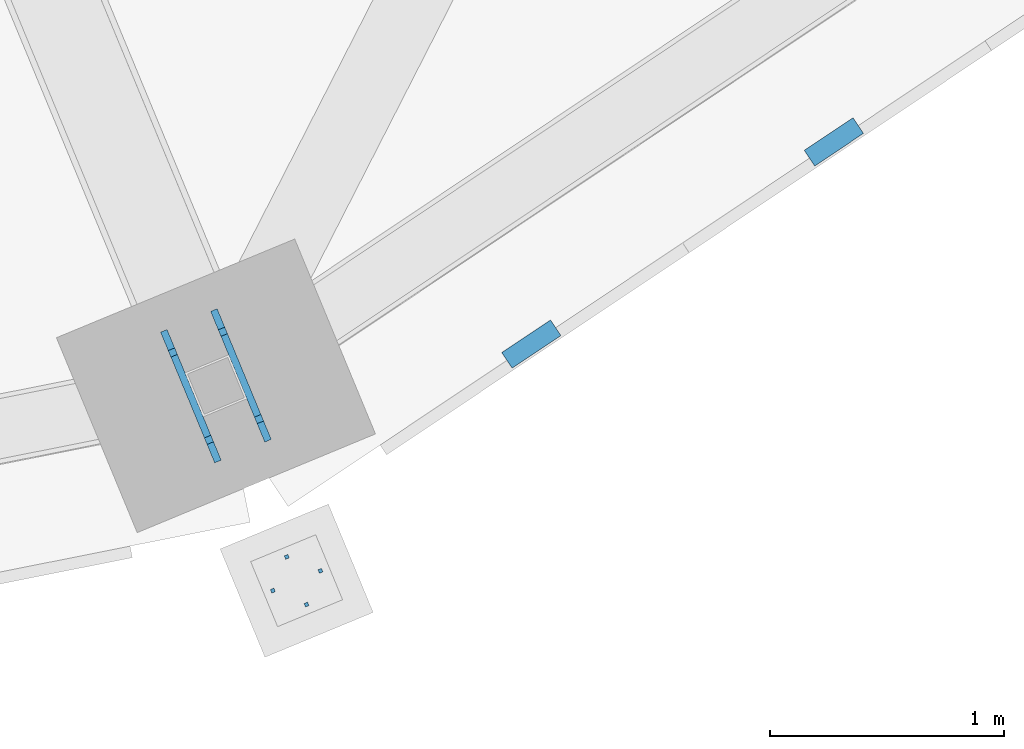
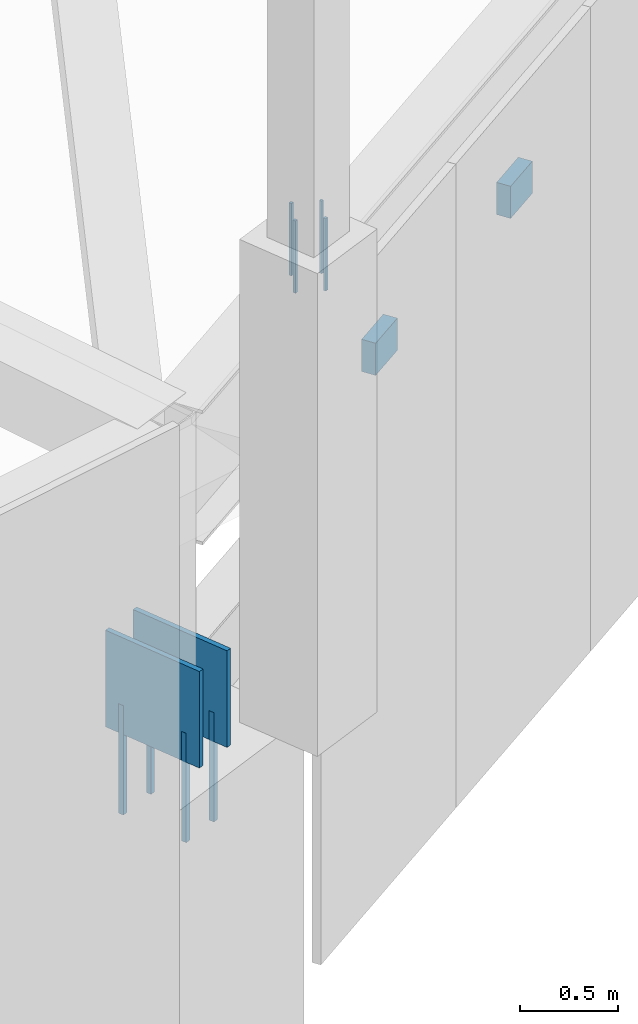
# One storey, part 171 of 278: 8 mechanical fasteners, 4 discrete accessories.
"""IFC4 building model written with IfcOpenShell, lengths in metres."""

from ifc_helpers import new_model, si_unit, direction, frame, origin, origin_2d, place, context, subcontext, project, spatial, rectangle, extrude, material, layer, layer_set, type_object, element, save


model = new_model("IFC4")

# Units and contexts
model_context = context("Model", 3, precision=1e-05, world=origin(), true_north=direction((0.0, 1.0)))
body_context = subcontext(model_context, "Body", "Model", "MODEL_VIEW")
ifc_project = project(units=[si_unit("LENGTHUNIT", "METRE"), si_unit("AREAUNIT", "SQUARE_METRE"), si_unit("VOLUMEUNIT", "CUBIC_METRE"), si_unit("PLANEANGLEUNIT", "RADIAN"), si_unit("MASSUNIT", "GRAM", prefix="KILO")], contexts=[model_context])

# Site, building, storey
site_placement = place(None, origin())
site = spatial("IfcSite", under=ifc_project, at=site_placement, CompositionType="ELEMENT")
building_placement = place(site_placement, origin())
building = spatial("IfcBuilding", under=site, at=building_placement, Name="Ogive Plaza Stadium", CompositionType="ELEMENT")
storey_placement = place(building_placement, frame((0.0, 0.0, 29.0)))
storey = spatial("IfcBuildingStorey", under=building, at=storey_placement, Name="Roof", CompositionType="ELEMENT", Elevation=29.0)

# Mechanical fasteners
ifc_material_1 = material(Name="Steel ASTM A992 Grade 50", Category="steel")
mechanical_fastener_type_1 = type_object("IfcMechanicalFastenerType", Name="Anchor bolt M30 x 600", PredefinedType="ANCHORBOLT", material=ifc_material_1)
for number, where, z_axis, x_axis, name in (
    (1, (53.318115234375, -98.8359375, 3.0), (0.0, 0.0, 1.0), (0.382683432365, -0.923879532511, 0.0), "ANCHOR BOLT 11 BF 1.1"),
    (2, (53.163818359375, -98.46337890625, 3.0), (0.0, 0.0, 1.0), (0.382683432365, -0.923879532511, 0.0), "ANCHOR BOLT 11 BF 1.2"),
    (3, (53.1044921875, -98.924560546875, 3.0), (0.0, 0.0, 1.0), (0.382683432365, -0.923879532511, 0.0), "ANCHOR BOLT 11 BF 2.1"),
    (4, (52.9501953125, -98.552001953125, 3.0), (0.0, 0.0, 1.0), (0.382683432365, -0.923879532511, 0.0), "ANCHOR BOLT 11 BF 2.2"),
):
    element("IfcMechanicalFastener", number, at=place(storey_placement, frame(where, z_axis=z_axis, x_axis=x_axis)), inside=storey, type_object=mechanical_fastener_type_1, Name=name, PredefinedType="ANCHORBOLT", context=body_context, shape_type="SweptSolid", body=[
        extrude(rectangle(XDim=0.030029296875, YDim=0.030029296875, at=origin_2d()), origin(), (0.0, 0.0, 1.0), 0.679931640625),
    ])
ifc_material_2 = material(Name="Steel ASTM A992 Grade 50", Category="steel")
mechanical_fastener_type_2 = type_object("IfcMechanicalFastenerType", Name="Spire anchor bolt M16 x 450", PredefinedType="ANCHORBOLT", material=ifc_material_2)
for number, where, z_axis, x_axis, name in (
    (5, (53.520751953125, -99.627197265625, 6.7001953125), (0.0, 0.0, 1.0), (0.382683432365, -0.923879532511, 0.0), "SPIRE ANCHOR BOLT 11 1"),
    (6, (53.4365234375, -99.423828125, 6.7001953125), (0.0, 0.0, 1.0), (0.382683432365, -0.923879532511, 0.0), "SPIRE ANCHOR BOLT 11 2"),
    (7, (53.580078125, -99.4833984375, 6.7001953125), (0.0, 0.0, 1.0), (0.382683432365, -0.923879532511, 0.0), "SPIRE ANCHOR BOLT 11 3"),
    (8, (53.376953125, -99.567626953125, 6.7001953125), (0.0, 0.0, 1.0), (0.382683432365, -0.923879532511, 0.0), "SPIRE ANCHOR BOLT 11 4"),
):
    element("IfcMechanicalFastener", number, at=place(storey_placement, frame(where, z_axis=z_axis, x_axis=x_axis)), inside=storey, type_object=mechanical_fastener_type_2, Name=name, PredefinedType="ANCHORBOLT", context=body_context, shape_type="SweptSolid", body=[
        extrude(rectangle(XDim=0.01611328125, YDim=0.01611328125, at=origin_2d()), origin(), (0.0, 0.0, 1.0), 0.449951171875),
    ])

# Discrete accessories
ifc_material_3 = material(Name="Steel ASTM A572 Grade 50", Category="steel")
ifc_layer_1 = layer(ifc_material_3, 0.080078125)
ifc_layer_set_1 = layer_set([ifc_layer_1], Name="Steel ASTM A572 Grade 50")
discrete_accessory_type_1 = type_object("IfcDiscreteAccessoryType", Name="Tracery screen bracket 250x200", PredefinedType="BRACKET", material=ifc_layer_set_1)
for number, where, z_axis, x_axis, name in (
    (9, (55.770263671875, -97.653564453125, 5.25), (0.0, 0.0, 1.0), (-0.831469612303, -0.55557023302, 0.0), "TRACERY SCREEN BRACKET B10 11"),
    (10, (54.4794921875, -98.515869140625, 5.25), (0.0, 0.0, 1.0), (-0.831469612303, -0.55557023302, 0.0), "TRACERY SCREEN BRACKET B10 12"),
):
    element("IfcDiscreteAccessory", number, at=place(storey_placement, frame(where, z_axis=z_axis, x_axis=x_axis)), inside=storey, type_object=discrete_accessory_type_1, Name=name, PredefinedType="BRACKET", context=body_context, shape_type="SweptSolid", body=[
        extrude(rectangle(XDim=0.25, YDim=0.080078125, at=origin_2d()), origin(), (0.0, 0.0, 1.0), 0.199951171875),
    ])
ifc_material_4 = material(Name="Steel ASTM A992 Grade 50", Category="steel")
ifc_layer_2 = layer(ifc_material_4, 0.030029296875)
ifc_layer_set_2 = layer_set([ifc_layer_2], Name="Steel ASTM A992 Grade 50")
discrete_accessory_type_2 = type_object("IfcDiscreteAccessoryType", Name="Truss back-stay foot cleat plate 30", PredefinedType="ANCHORPLATE", material=ifc_layer_set_2)
for number, where, z_axis, x_axis, name in (
    (11, (53.240966796875, -98.649658203125, 3.5), (0.0, 0.0, 1.0), (0.382683432365, -0.923879532511, 0.0), "TRUSS BACK-STAY FOOT CLEAT PLATE 11 1"),
    (12, (53.02734375, -98.73828125, 3.5), (0.0, 0.0, 1.0), (0.382683432365, -0.923879532511, 0.0), "TRUSS BACK-STAY FOOT CLEAT PLATE 11 2"),
):
    element("IfcDiscreteAccessory", number, at=place(storey_placement, frame(where, z_axis=z_axis, x_axis=x_axis)), inside=storey, type_object=discrete_accessory_type_2, Name=name, PredefinedType="ANCHORPLATE", context=body_context, shape_type="SweptSolid", body=[
        extrude(rectangle(XDim=0.603271484375, YDim=0.030029296875, at=origin_2d()), origin(), (0.0, 0.0, 1.0), 0.60009765625),
    ])

save(model, "model.ifc")
